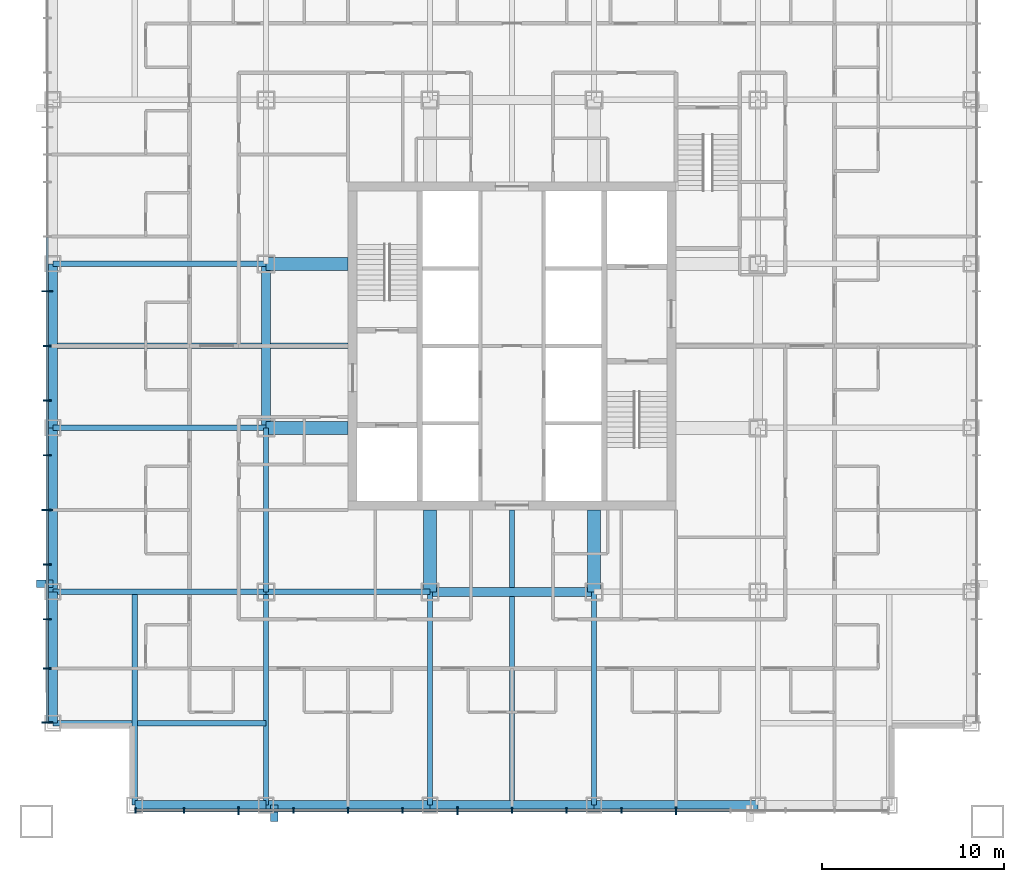
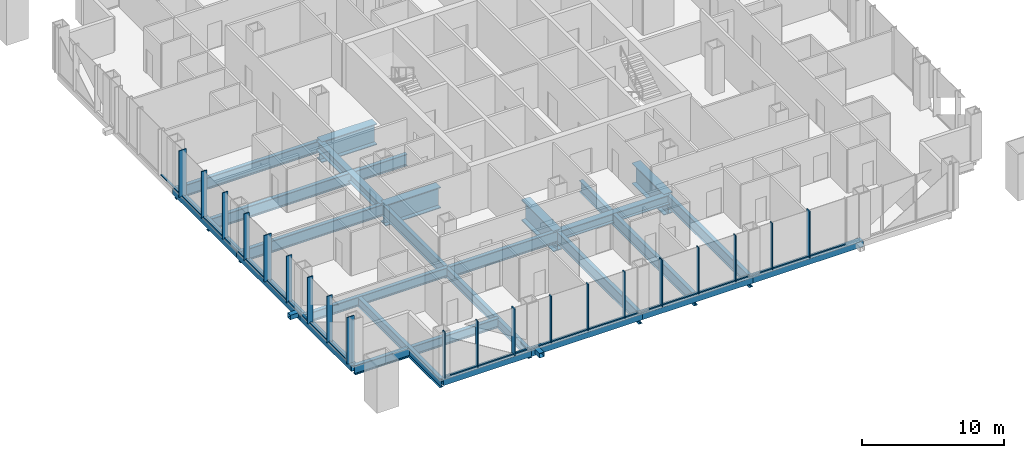
# One storey, part 2 of 13: 42 members, 25 beams, 2 elements without a shape of their own.
"""IFC4 building model written with IfcOpenShell, lengths in metres."""

from ifc_helpers import new_model, si_unit, direction, frame, origin, origin_2d, place, context, subcontext, project, spatial, rectangle, hollow_rectangle, i_section, extrude, material, layer, layer_set, material_profile, profile_set, type_object, element, aggregate, save


model = new_model("IFC4")

# Units and contexts
model_context = context("Model", 3, precision=1e-05, world=origin(), true_north=direction((0.0, 1.0)))
body_context = subcontext(model_context, "Body", "Model", "MODEL_VIEW")
ifc_project = project(units=[si_unit("LENGTHUNIT", "METRE"), si_unit("AREAUNIT", "SQUARE_METRE"), si_unit("VOLUMEUNIT", "CUBIC_METRE"), si_unit("PLANEANGLEUNIT", "RADIAN"), si_unit("MASSUNIT", "GRAM", prefix="KILO")], contexts=[model_context])

# Site, building, storey
site_placement = place(None, origin())
site = spatial("IfcSite", under=ifc_project, at=site_placement, CompositionType="ELEMENT")
building_placement = place(site_placement, origin())
building = spatial("IfcBuilding", under=site, at=building_placement, Name="Malebo Sky Hospital", CompositionType="ELEMENT")
storey_placement = place(building_placement, frame((0.0, 0.0, 87.0)))
storey = spatial("IfcBuildingStorey", under=building, at=storey_placement, Name="L20", CompositionType="ELEMENT", Elevation=87.0)

# Curtain wall, members
ifc_material_1 = material(Name="Anodised aluminium, natural silver", Category="aluminium")
ifc_layer_1 = layer(ifc_material_1, 0.25)
ifc_layer_set_1 = layer_set([ifc_layer_1], Name="WARD CURTAIN WALL EAST AND WEST")
curtain_wall_type_1 = type_object("IfcCurtainWallType", Name="WARD CURTAIN WALL EAST AND WEST", PredefinedType="NOTDEFINED", material=ifc_layer_set_1)
curtain_wall_1_placement = place(storey_placement, origin())
curtain_wall_1 = element("IfcCurtainWall", 1, at=curtain_wall_1_placement, inside=storey, type_object=curtain_wall_type_1, Name="EW curtain wall W", PredefinedType="NOTDEFINED")
ifc_material_profile_1 = material_profile(ifc_material_1, rectangle(XDim=0.14990234375, YDim=0.10009765625, at=origin_2d()), Name="ALUMINIUM TRANSOM 150x100")
ifc_profile_set_1 = profile_set([ifc_material_profile_1], Name="Anodised aluminium, natural silver")
member_type_1 = type_object("IfcMemberType", Name="ALUMINIUM TRANSOM 150x100", PredefinedType="USERDEFINED", material=ifc_profile_set_1)
member_1_placement = place(storey_placement, frame((34.5, 41.375, 0.050048828125), z_axis=(0.0, 1.0, 0.0), x_axis=(-1.0, 0.0, 0.0)))
member_1 = element("IfcMember", 2, at=member_1_placement, type_object=member_type_1, Name="Transom 1", ObjectType="TRANSOM", PredefinedType="USERDEFINED", context=body_context, shape_type="SweptSolid", body=[
    extrude(rectangle(XDim=0.14990234375, YDim=0.10009765625, at=origin_2d()), origin(), (0.0, 0.0, 1.0), 2.887451171875),
])
member_2_placement = place(storey_placement, frame((34.5, 44.33740234375, 0.050048828125), z_axis=(0.0, 1.0, 0.0), x_axis=(-1.0, 0.0, 0.0)))
member_2 = element("IfcMember", 3, at=member_2_placement, type_object=member_type_1, Name="Transom 2", ObjectType="TRANSOM", PredefinedType="USERDEFINED", context=body_context, shape_type="SweptSolid", body=[
    extrude(rectangle(XDim=0.14990234375, YDim=0.10009765625, at=origin_2d()), origin(), (0.0, 0.0, 1.0), 2.625),
])
member_3_placement = place(storey_placement, frame((34.5, 47.03759765625, 0.050048828125), z_axis=(0.0, 1.0, 0.0), x_axis=(-1.0, 0.0, 0.0)))
member_3 = element("IfcMember", 4, at=member_3_placement, type_object=member_type_1, Name="Transom 3", ObjectType="TRANSOM", PredefinedType="USERDEFINED", context=body_context, shape_type="SweptSolid", body=[
    extrude(rectangle(XDim=0.14990234375, YDim=0.10009765625, at=origin_2d()), origin(), (0.0, 0.0, 1.0), 2.9248046875),
])
member_4_placement = place(storey_placement, frame((34.5, 50.03759765625, 0.050048828125), z_axis=(0.0, 1.0, 0.0), x_axis=(-1.0, 0.0, 0.0)))
member_4 = element("IfcMember", 5, at=member_4_placement, type_object=member_type_1, Name="Transom 4", ObjectType="TRANSOM", PredefinedType="USERDEFINED", context=body_context, shape_type="SweptSolid", body=[
    extrude(rectangle(XDim=0.14990234375, YDim=0.10009765625, at=origin_2d()), origin(), (0.0, 0.0, 1.0), 2.9248046875),
])
member_5_placement = place(storey_placement, frame((34.5, 53.03759765625, 0.050048828125), z_axis=(0.0, 1.0, 0.0), x_axis=(-1.0, 0.0, 0.0)))
member_5 = element("IfcMember", 6, at=member_5_placement, type_object=member_type_1, Name="Transom 5", ObjectType="TRANSOM", PredefinedType="USERDEFINED", context=body_context, shape_type="SweptSolid", body=[
    extrude(rectangle(XDim=0.14990234375, YDim=0.10009765625, at=origin_2d()), origin(), (0.0, 0.0, 1.0), 2.9248046875),
])
member_6_placement = place(storey_placement, frame((34.5, 56.03759765625, 0.050048828125), z_axis=(0.0, 1.0, 0.0), x_axis=(-1.0, 0.0, 0.0)))
member_6 = element("IfcMember", 7, at=member_6_placement, type_object=member_type_1, Name="Transom 6", ObjectType="TRANSOM", PredefinedType="USERDEFINED", context=body_context, shape_type="SweptSolid", body=[
    extrude(rectangle(XDim=0.14990234375, YDim=0.10009765625, at=origin_2d()), origin(), (0.0, 0.0, 1.0), 2.9248046875),
])
member_7_placement = place(storey_placement, frame((34.5, 59.03759765625, 0.050048828125), z_axis=(0.0, 1.0, 0.0), x_axis=(-1.0, 0.0, 0.0)))
member_7 = element("IfcMember", 8, at=member_7_placement, type_object=member_type_1, Name="Transom 7", ObjectType="TRANSOM", PredefinedType="USERDEFINED", context=body_context, shape_type="SweptSolid", body=[
    extrude(rectangle(XDim=0.14990234375, YDim=0.10009765625, at=origin_2d()), origin(), (0.0, 0.0, 1.0), 2.9248046875),
])
member_8_placement = place(storey_placement, frame((34.5, 62.03759765625, 0.050048828125), z_axis=(0.0, 1.0, 0.0), x_axis=(-1.0, 0.0, 0.0)))
member_8 = element("IfcMember", 9, at=member_8_placement, type_object=member_type_1, Name="Transom 8", ObjectType="TRANSOM", PredefinedType="USERDEFINED", context=body_context, shape_type="SweptSolid", body=[
    extrude(rectangle(XDim=0.14990234375, YDim=0.10009765625, at=origin_2d()), origin(), (0.0, 0.0, 1.0), 2.9248046875),
])
member_9_placement = place(storey_placement, frame((34.5, 65.03759765625, 0.050048828125), z_axis=(0.0, 1.0, 0.0), x_axis=(-1.0, 0.0, 0.0)))
member_9 = element("IfcMember", 10, at=member_9_placement, type_object=member_type_1, Name="Transom 9", ObjectType="TRANSOM", PredefinedType="USERDEFINED", context=body_context, shape_type="SweptSolid", body=[
    extrude(rectangle(XDim=0.14990234375, YDim=0.10009765625, at=origin_2d()), origin(), (0.0, 0.0, 1.0), 2.9248046875),
])

ifc_layer_2 = layer(ifc_material_1, 0.25)
ifc_layer_set_2 = layer_set([ifc_layer_2], Name="WARD CURTAIN WALL NORTH AND SOUTH")
curtain_wall_type_2 = type_object("IfcCurtainWallType", Name="WARD CURTAIN WALL NORTH AND SOUTH", PredefinedType="NOTDEFINED", material=ifc_layer_set_2)
curtain_wall_2_placement = place(storey_placement, origin())
curtain_wall_2 = element("IfcCurtainWall", 11, at=curtain_wall_2_placement, inside=storey, type_object=curtain_wall_type_2, Name="NS curtain wall S", PredefinedType="NOTDEFINED")
member_10_placement = place(storey_placement, frame((71.96240234375, 36.5, 0.050048828125), z_axis=(-1.0, 0.0, 0.0), x_axis=(0.0, -1.0, 0.0)))
member_10 = element("IfcMember", 12, at=member_10_placement, type_object=member_type_1, Name="Transom 4", ObjectType="TRANSOM", PredefinedType="USERDEFINED", context=body_context, shape_type="SweptSolid", body=[
    extrude(rectangle(XDim=0.14990234375, YDim=0.10009765625, at=origin_2d()), origin(), (0.0, 0.0, 1.0), 2.9248046875),
])
member_11_placement = place(storey_placement, frame((68.96240234375, 36.5, 0.050048828125), z_axis=(-1.0, 0.0, 0.0), x_axis=(0.0, -1.0, 0.0)))
member_11 = element("IfcMember", 13, at=member_11_placement, type_object=member_type_1, Name="Transom 5", ObjectType="TRANSOM", PredefinedType="USERDEFINED", context=body_context, shape_type="SweptSolid", body=[
    extrude(rectangle(XDim=0.14990234375, YDim=0.10009765625, at=origin_2d()), origin(), (0.0, 0.0, 1.0), 2.9248046875),
])
member_12_placement = place(storey_placement, frame((65.96240234375, 36.5, 0.050048828125), z_axis=(-1.0, 0.0, 0.0), x_axis=(0.0, -1.0, 0.0)))
member_12 = element("IfcMember", 14, at=member_12_placement, type_object=member_type_1, Name="Transom 6", ObjectType="TRANSOM", PredefinedType="USERDEFINED", context=body_context, shape_type="SweptSolid", body=[
    extrude(rectangle(XDim=0.14990234375, YDim=0.10009765625, at=origin_2d()), origin(), (0.0, 0.0, 1.0), 2.9248046875),
])
member_13_placement = place(storey_placement, frame((62.96240234375, 36.5, 0.050048828125), z_axis=(-1.0, 0.0, 0.0), x_axis=(0.0, -1.0, 0.0)))
member_13 = element("IfcMember", 15, at=member_13_placement, type_object=member_type_1, Name="Transom 7", ObjectType="TRANSOM", PredefinedType="USERDEFINED", context=body_context, shape_type="SweptSolid", body=[
    extrude(rectangle(XDim=0.14990234375, YDim=0.10009765625, at=origin_2d()), origin(), (0.0, 0.0, 1.0), 2.9248046875),
])
member_14_placement = place(storey_placement, frame((59.96240234375, 36.5, 0.050048828125), z_axis=(-1.0, 0.0, 0.0), x_axis=(0.0, -1.0, 0.0)))
member_14 = element("IfcMember", 16, at=member_14_placement, type_object=member_type_1, Name="Transom 8", ObjectType="TRANSOM", PredefinedType="USERDEFINED", context=body_context, shape_type="SweptSolid", body=[
    extrude(rectangle(XDim=0.14990234375, YDim=0.10009765625, at=origin_2d()), origin(), (0.0, 0.0, 1.0), 2.9248046875),
])
member_15_placement = place(storey_placement, frame((56.96240234375, 36.5, 0.050048828125), z_axis=(-1.0, 0.0, 0.0), x_axis=(0.0, -1.0, 0.0)))
member_15 = element("IfcMember", 17, at=member_15_placement, type_object=member_type_1, Name="Transom 9", ObjectType="TRANSOM", PredefinedType="USERDEFINED", context=body_context, shape_type="SweptSolid", body=[
    extrude(rectangle(XDim=0.14990234375, YDim=0.10009765625, at=origin_2d()), origin(), (0.0, 0.0, 1.0), 2.9248046875),
])
member_16_placement = place(storey_placement, frame((53.96240234375, 36.5, 0.050048828125), z_axis=(-1.0, 0.0, 0.0), x_axis=(0.0, -1.0, 0.0)))
member_16 = element("IfcMember", 18, at=member_16_placement, type_object=member_type_1, Name="Transom 10", ObjectType="TRANSOM", PredefinedType="USERDEFINED", context=body_context, shape_type="SweptSolid", body=[
    extrude(rectangle(XDim=0.14990234375, YDim=0.10009765625, at=origin_2d()), origin(), (0.0, 0.0, 1.0), 2.9248046875),
])
member_17_placement = place(storey_placement, frame((50.96240234375, 36.5, 0.050048828125), z_axis=(-1.0, 0.0, 0.0), x_axis=(0.0, -1.0, 0.0)))
member_17 = element("IfcMember", 19, at=member_17_placement, type_object=member_type_1, Name="Transom 11", ObjectType="TRANSOM", PredefinedType="USERDEFINED", context=body_context, shape_type="SweptSolid", body=[
    extrude(rectangle(XDim=0.14990234375, YDim=0.10009765625, at=origin_2d()), origin(), (0.0, 0.0, 1.0), 2.9248046875),
])
member_18_placement = place(storey_placement, frame((47.96240234375, 36.5, 0.050048828125), z_axis=(-1.0, 0.0, 0.0), x_axis=(0.0, -1.0, 0.0)))
member_18 = element("IfcMember", 20, at=member_18_placement, type_object=member_type_1, Name="Transom 12", ObjectType="TRANSOM", PredefinedType="USERDEFINED", context=body_context, shape_type="SweptSolid", body=[
    extrude(rectangle(XDim=0.14990234375, YDim=0.10009765625, at=origin_2d()), origin(), (0.0, 0.0, 1.0), 2.9248046875),
])
member_19_placement = place(storey_placement, frame((44.96240234375, 36.5, 0.050048828125), z_axis=(-1.0, 0.0, 0.0), x_axis=(0.0, -1.0, 0.0)))
member_19 = element("IfcMember", 21, at=member_19_placement, type_object=member_type_1, Name="Transom 13", ObjectType="TRANSOM", PredefinedType="USERDEFINED", context=body_context, shape_type="SweptSolid", body=[
    extrude(rectangle(XDim=0.14990234375, YDim=0.10009765625, at=origin_2d()), origin(), (0.0, 0.0, 1.0), 2.9248046875),
])
member_20_placement = place(storey_placement, frame((41.96240234375, 36.5, 0.050048828125), z_axis=(-1.0, 0.0, 0.0), x_axis=(0.0, -1.0, 0.0)))
member_20 = element("IfcMember", 22, at=member_20_placement, type_object=member_type_1, Name="Transom 14", ObjectType="TRANSOM", PredefinedType="USERDEFINED", context=body_context, shape_type="SweptSolid", body=[
    extrude(rectangle(XDim=0.14990234375, YDim=0.10009765625, at=origin_2d()), origin(), (0.0, 0.0, 1.0), 2.58740234375),
])

# Members
ifc_material_2 = material(Name="Steel S355", Category="steel")
ifc_material_profile_2 = material_profile(ifc_material_2, hollow_rectangle(XDim=0.39990234375, YDim=0.39990234375, WallThickness=0.02001953125, at=origin_2d()), Name="SHS 400x20")
ifc_profile_set_2 = profile_set([ifc_material_profile_2], Name="Steel S355")
member_type_2 = type_object("IfcMemberType", Name="BRACE STRUT SHS 400x20", PredefinedType="STRUT", material=ifc_profile_set_2)
for number, where, z_axis, x_axis, name in (
    (23, (46.949951171875, 35.89990234375, -0.39990234375), (0.0, 1.0, 0.0), (-1.0, 0.0, 0.0), "Brace strut AS2 L20"),
    (24, (33.89990234375, 48.949951171875, -0.39990234375), (1.0, 0.0, 0.0), (0.0, 1.0, 0.0), "Brace strut AW1 L20"),
):
    element("IfcMember", number, at=place(storey_placement, frame(where, z_axis=z_axis, x_axis=x_axis)), inside=storey, type_object=member_type_2, Name=name, PredefinedType="STRUT", context=body_context, shape_type="SweptSolid", body=[
        extrude(hollow_rectangle(XDim=0.39990234375, YDim=0.39990234375, WallThickness=0.02001953125, at=origin_2d()), origin(), (0.0, 0.0, 1.0), 0.900146484375),
    ])

# Member
ifc_material_profile_3 = material_profile(ifc_material_1, rectangle(XDim=0.074951171875, YDim=0.300048828125, at=origin_2d()), Name="CW1 ALUMINIUM FIN MULLION 75x300")
ifc_profile_set_3 = profile_set([ifc_material_profile_3], Name="Anodised aluminium, natural silver")
member_type_3 = type_object("IfcMemberType", Name="CW1 ALUMINIUM FIN MULLION 75x300", PredefinedType="MULLION", material=ifc_profile_set_3)
member_21_placement = place(storey_placement, frame((66.0, 36.5, 0.0), z_axis=(0.0, 0.0, 1.0), x_axis=(-1.0, 0.0, 0.0)))
member_21 = element("IfcMember", 25, at=member_21_placement, type_object=member_type_3, Name="Fin mullion 6", PredefinedType="MULLION", context=body_context, shape_type="SweptSolid", body=[
    extrude(rectangle(XDim=0.074951171875, YDim=0.300048828125, at=origin_2d()), origin(), (0.0, 0.0, 1.0), 4.0),
])

member_22_placement = place(storey_placement, frame((63.0, 36.5, 0.0), z_axis=(0.0, 0.0, 1.0), x_axis=(-1.0, 0.0, 0.0)))
member_22 = element("IfcMember", 26, at=member_22_placement, type_object=member_type_3, Name="Fin mullion 7", PredefinedType="MULLION", context=body_context, shape_type="SweptSolid", body=[
    extrude(rectangle(XDim=0.074951171875, YDim=0.300048828125, at=origin_2d()), origin(), (0.0, 0.0, 1.0), 4.0),
])

member_23_placement = place(storey_placement, frame((60.0, 36.5, 0.0), z_axis=(0.0, 0.0, 1.0), x_axis=(-1.0, 0.0, 0.0)))
member_23 = element("IfcMember", 27, at=member_23_placement, type_object=member_type_3, Name="Fin mullion 8", PredefinedType="MULLION", context=body_context, shape_type="SweptSolid", body=[
    extrude(rectangle(XDim=0.074951171875, YDim=0.300048828125, at=origin_2d()), origin(), (0.0, 0.0, 1.0), 4.0),
])

member_24_placement = place(storey_placement, frame((54.0, 36.5, 0.0), z_axis=(0.0, 0.0, 1.0), x_axis=(-1.0, 0.0, 0.0)))
member_24 = element("IfcMember", 28, at=member_24_placement, type_object=member_type_3, Name="Fin mullion 10", PredefinedType="MULLION", context=body_context, shape_type="SweptSolid", body=[
    extrude(rectangle(XDim=0.074951171875, YDim=0.300048828125, at=origin_2d()), origin(), (0.0, 0.0, 1.0), 4.0),
])

member_25_placement = place(storey_placement, frame((51.0, 36.5, 0.0), z_axis=(0.0, 0.0, 1.0), x_axis=(-1.0, 0.0, 0.0)))
member_25 = element("IfcMember", 29, at=member_25_placement, type_object=member_type_3, Name="Fin mullion 11", PredefinedType="MULLION", context=body_context, shape_type="SweptSolid", body=[
    extrude(rectangle(XDim=0.074951171875, YDim=0.300048828125, at=origin_2d()), origin(), (0.0, 0.0, 1.0), 4.0),
])

member_26_placement = place(storey_placement, frame((48.0, 36.5, 0.0), z_axis=(0.0, 0.0, 1.0), x_axis=(-1.0, 0.0, 0.0)))
member_26 = element("IfcMember", 30, at=member_26_placement, type_object=member_type_3, Name="Fin mullion 12", PredefinedType="MULLION", context=body_context, shape_type="SweptSolid", body=[
    extrude(rectangle(XDim=0.074951171875, YDim=0.300048828125, at=origin_2d()), origin(), (0.0, 0.0, 1.0), 4.0),
])

member_27_placement = place(storey_placement, frame((42.0, 36.5, 0.0), z_axis=(0.0, 0.0, 1.0), x_axis=(-1.0, 0.0, 0.0)))
member_27 = element("IfcMember", 31, at=member_27_placement, type_object=member_type_3, Name="Fin mullion 14", PredefinedType="MULLION", context=body_context, shape_type="SweptSolid", body=[
    extrude(rectangle(XDim=0.074951171875, YDim=0.300048828125, at=origin_2d()), origin(), (0.0, 0.0, 1.0), 4.0),
])

member_28_placement = place(storey_placement, frame((39.33740234375, 36.5, 0.0), z_axis=(0.0, 0.0, 1.0), x_axis=(-1.0, 0.0, 0.0)))
member_28 = element("IfcMember", 32, at=member_28_placement, type_object=member_type_3, Name="Fin mullion 15", PredefinedType="MULLION", context=body_context, shape_type="SweptSolid", body=[
    extrude(rectangle(XDim=0.074951171875, YDim=0.300048828125, at=origin_2d()), origin(), (0.0, 0.0, 1.0), 4.0),
])

ifc_material_profile_4 = material_profile(ifc_material_1, rectangle(XDim=0.074951171875, YDim=0.449951171875, at=origin_2d()), Name="CW1 ALUMINIUM FIN MULLION 75x450")
ifc_profile_set_4 = profile_set([ifc_material_profile_4], Name="Anodised aluminium, natural silver")
member_type_4 = type_object("IfcMemberType", Name="CW1 ALUMINIUM FIN MULLION 75x450", PredefinedType="MULLION", material=ifc_profile_set_4)
member_29_placement = place(storey_placement, frame((69.0, 36.5, 0.0), z_axis=(0.0, 0.0, 1.0), x_axis=(-1.0, 0.0, 0.0)))
member_29 = element("IfcMember", 33, at=member_29_placement, type_object=member_type_4, Name="Fin mullion 5", PredefinedType="MULLION", context=body_context, shape_type="SweptSolid", body=[
    extrude(rectangle(XDim=0.074951171875, YDim=0.449951171875, at=origin_2d()), origin(), (0.0, 0.0, 1.0), 4.0),
])

member_30_placement = place(storey_placement, frame((57.0, 36.5, 0.0), z_axis=(0.0, 0.0, 1.0), x_axis=(-1.0, 0.0, 0.0)))
member_30 = element("IfcMember", 34, at=member_30_placement, type_object=member_type_4, Name="Fin mullion 9", PredefinedType="MULLION", context=body_context, shape_type="SweptSolid", body=[
    extrude(rectangle(XDim=0.074951171875, YDim=0.449951171875, at=origin_2d()), origin(), (0.0, 0.0, 1.0), 4.0),
])

member_31_placement = place(storey_placement, frame((45.0, 36.5, 0.0), z_axis=(0.0, 0.0, 1.0), x_axis=(-1.0, 0.0, 0.0)))
member_31 = element("IfcMember", 35, at=member_31_placement, type_object=member_type_4, Name="Fin mullion 13", PredefinedType="MULLION", context=body_context, shape_type="SweptSolid", body=[
    extrude(rectangle(XDim=0.074951171875, YDim=0.449951171875, at=origin_2d()), origin(), (0.0, 0.0, 1.0), 4.0),
])

aggregate(curtain_wall_2, [member_29, member_21, member_22, member_23, member_30, member_24, member_25, member_26, member_31, member_27, member_28, member_10, member_11, member_12, member_13, member_14, member_15, member_16, member_17, member_18, member_19, member_20])

ifc_material_profile_5 = material_profile(ifc_material_1, rectangle(XDim=0.074951171875, YDim=0.449951171875, at=origin_2d()), Name="CW2 ALUMINIUM FIN MULLION 75x450")
ifc_profile_set_5 = profile_set([ifc_material_profile_5], Name="Anodised aluminium, natural silver")
member_type_5 = type_object("IfcMemberType", Name="CW2 ALUMINIUM FIN MULLION 75x450", PredefinedType="MULLION", material=ifc_profile_set_5)
member_32_placement = place(storey_placement, frame((34.5, 44.300048828125, 0.0), z_axis=(0.0, 0.0, 1.0), x_axis=(0.0, 1.0, 0.0)))
member_32 = element("IfcMember", 36, at=member_32_placement, type_object=member_type_5, Name="Fin mullion 2", PredefinedType="MULLION", context=body_context, shape_type="SweptSolid", body=[
    extrude(rectangle(XDim=0.074951171875, YDim=0.449951171875, at=origin_2d()), origin(), (0.0, 0.0, 1.0), 4.0),
])

member_33_placement = place(storey_placement, frame((34.5, 47.0, 0.0), z_axis=(0.0, 0.0, 1.0), x_axis=(0.0, 1.0, 0.0)))
member_33 = element("IfcMember", 37, at=member_33_placement, type_object=member_type_5, Name="Fin mullion 3", PredefinedType="MULLION", context=body_context, shape_type="SweptSolid", body=[
    extrude(rectangle(XDim=0.074951171875, YDim=0.449951171875, at=origin_2d()), origin(), (0.0, 0.0, 1.0), 4.0),
])

member_34_placement = place(storey_placement, frame((34.5, 50.0, 0.0), z_axis=(0.0, 0.0, 1.0), x_axis=(0.0, 1.0, 0.0)))
member_34 = element("IfcMember", 38, at=member_34_placement, type_object=member_type_5, Name="Fin mullion 4", PredefinedType="MULLION", context=body_context, shape_type="SweptSolid", body=[
    extrude(rectangle(XDim=0.074951171875, YDim=0.449951171875, at=origin_2d()), origin(), (0.0, 0.0, 1.0), 4.0),
])

member_35_placement = place(storey_placement, frame((34.5, 56.0, 0.0), z_axis=(0.0, 0.0, 1.0), x_axis=(0.0, 1.0, 0.0)))
member_35 = element("IfcMember", 39, at=member_35_placement, type_object=member_type_5, Name="Fin mullion 6", PredefinedType="MULLION", context=body_context, shape_type="SweptSolid", body=[
    extrude(rectangle(XDim=0.074951171875, YDim=0.449951171875, at=origin_2d()), origin(), (0.0, 0.0, 1.0), 4.0),
])

member_36_placement = place(storey_placement, frame((34.5, 59.0, 0.0), z_axis=(0.0, 0.0, 1.0), x_axis=(0.0, 1.0, 0.0)))
member_36 = element("IfcMember", 40, at=member_36_placement, type_object=member_type_5, Name="Fin mullion 7", PredefinedType="MULLION", context=body_context, shape_type="SweptSolid", body=[
    extrude(rectangle(XDim=0.074951171875, YDim=0.449951171875, at=origin_2d()), origin(), (0.0, 0.0, 1.0), 4.0),
])

member_37_placement = place(storey_placement, frame((34.5, 62.0, 0.0), z_axis=(0.0, 0.0, 1.0), x_axis=(0.0, 1.0, 0.0)))
member_37 = element("IfcMember", 41, at=member_37_placement, type_object=member_type_5, Name="Fin mullion 8", PredefinedType="MULLION", context=body_context, shape_type="SweptSolid", body=[
    extrude(rectangle(XDim=0.074951171875, YDim=0.449951171875, at=origin_2d()), origin(), (0.0, 0.0, 1.0), 4.0),
])

ifc_material_profile_6 = material_profile(ifc_material_1, rectangle(XDim=0.074951171875, YDim=0.60009765625, at=origin_2d()), Name="CW2 ALUMINIUM FIN MULLION 75x600")
ifc_profile_set_6 = profile_set([ifc_material_profile_6], Name="Anodised aluminium, natural silver")
member_type_6 = type_object("IfcMemberType", Name="CW2 ALUMINIUM FIN MULLION 75x600", PredefinedType="MULLION", material=ifc_profile_set_6)
member_38_placement = place(storey_placement, frame((34.5, 41.33740234375, 0.0), z_axis=(0.0, 0.0, 1.0), x_axis=(0.0, 1.0, 0.0)))
member_38 = element("IfcMember", 42, at=member_38_placement, type_object=member_type_6, Name="Fin mullion 1", PredefinedType="MULLION", context=body_context, shape_type="SweptSolid", body=[
    extrude(rectangle(XDim=0.074951171875, YDim=0.60009765625, at=origin_2d()), origin(), (0.0, 0.0, 1.0), 4.0),
])

member_39_placement = place(storey_placement, frame((34.5, 53.0, 0.0), z_axis=(0.0, 0.0, 1.0), x_axis=(0.0, 1.0, 0.0)))
member_39 = element("IfcMember", 43, at=member_39_placement, type_object=member_type_6, Name="Fin mullion 5", PredefinedType="MULLION", context=body_context, shape_type="SweptSolid", body=[
    extrude(rectangle(XDim=0.074951171875, YDim=0.60009765625, at=origin_2d()), origin(), (0.0, 0.0, 1.0), 4.0),
])

member_40_placement = place(storey_placement, frame((34.5, 65.0, 0.0), z_axis=(0.0, 0.0, 1.0), x_axis=(0.0, 1.0, 0.0)))
member_40 = element("IfcMember", 44, at=member_40_placement, type_object=member_type_6, Name="Fin mullion 9", PredefinedType="MULLION", context=body_context, shape_type="SweptSolid", body=[
    extrude(rectangle(XDim=0.074951171875, YDim=0.60009765625, at=origin_2d()), origin(), (0.0, 0.0, 1.0), 4.0),
])

aggregate(curtain_wall_1, [member_38, member_32, member_33, member_34, member_39, member_35, member_36, member_37, member_40, member_1, member_2, member_3, member_4, member_5, member_6, member_7, member_8, member_9])

# Beams
ifc_material_3 = material(Name="Steel S460", Category="steel")
ifc_material_profile_7 = material_profile(ifc_material_3, hollow_rectangle(XDim=0.5, YDim=0.5, WallThickness=0.030029296875, at=origin_2d()), Name="BOX 500x500x30")
ifc_profile_set_7 = profile_set([ifc_material_profile_7], Name="Steel S460")
beam_type_1 = type_object("IfcBeamType", Name="EDGE BEAM BOX 500x500x30", PredefinedType="BEAM", material=ifc_profile_set_7)
beam_1_placement = place(storey_placement, frame((34.800048828125, 41.300048828125, -0.5), z_axis=(0.0, 1.0, 0.0), x_axis=(-1.0, 0.0, 0.0)))
element("IfcBeam", 45, at=beam_1_placement, inside=storey, type_object=beam_type_1, Name="Beam 000 L20", PredefinedType="BEAM", context=body_context, shape_type="SweptSolid", body=[
    extrude(hollow_rectangle(XDim=0.5, YDim=0.5, WallThickness=0.030029296875, at=origin_2d()), origin(), (0.0, 0.0, 1.0), 7.199951171875),
])
for number, where, z_axis, x_axis, name in (
    (46, (34.800048828125, 48.5, -0.5), (0.0, 1.0, 0.0), (-1.0, 0.0, 0.0), "Beam 001 L20"),
    (47, (34.800048828125, 57.5, -0.5), (0.0, 1.0, 0.0), (-1.0, 0.0, 0.0), "Beam 002 L20"),
):
    element("IfcBeam", number, at=place(storey_placement, frame(where, z_axis=z_axis, x_axis=x_axis)), inside=storey, type_object=beam_type_1, Name=name, PredefinedType="BEAM", context=body_context, shape_type="SweptSolid", body=[
        extrude(hollow_rectangle(XDim=0.5, YDim=0.5, WallThickness=0.030029296875, at=origin_2d()), origin(), (0.0, 0.0, 1.0), 9.0),
    ])
beam_2_placement = place(storey_placement, frame((39.300048828125, 36.800048828125, -0.5), z_axis=(1.0, 0.0, 0.0), x_axis=(0.0, 1.0, 0.0)))
element("IfcBeam", 48, at=beam_2_placement, inside=storey, type_object=beam_type_1, Name="Beam 034 L20", PredefinedType="BEAM", context=body_context, shape_type="SweptSolid", body=[
    extrude(hollow_rectangle(XDim=0.5, YDim=0.5, WallThickness=0.030029296875, at=origin_2d()), origin(), (0.0, 0.0, 1.0), 7.199951171875),
])
for number, where, z_axis, x_axis, name in (
    (49, (46.5, 36.800048828125, -0.5), (1.0, 0.0, 0.0), (0.0, 1.0, 0.0), "Beam 035 L20"),
    (50, (55.5, 36.800048828125, -0.5), (1.0, 0.0, 0.0), (0.0, 1.0, 0.0), "Beam 036 L20"),
    (51, (64.5, 36.800048828125, -0.5), (1.0, 0.0, 0.0), (0.0, 1.0, 0.0), "Beam 037 L20"),
):
    element("IfcBeam", number, at=place(storey_placement, frame(where, z_axis=z_axis, x_axis=x_axis)), inside=storey, type_object=beam_type_1, Name=name, PredefinedType="BEAM", context=body_context, shape_type="SweptSolid", body=[
        extrude(hollow_rectangle(XDim=0.5, YDim=0.5, WallThickness=0.030029296875, at=origin_2d()), origin(), (0.0, 0.0, 1.0), 9.0),
    ])
ifc_material_profile_8 = material_profile(ifc_material_2, i_section(OverallWidth=0.300048828125, OverallDepth=1.0, WebThickness=0.01904296875, FlangeThickness=0.035888671875, FilletRadius=0.030029296875, at=origin_2d()), Name="HEB 1000")
ifc_profile_set_8 = profile_set([ifc_material_profile_8], Name="Steel S355")
beam_type_2 = type_object("IfcBeamType", Name="FLOOR BEAM HEB 1000", PredefinedType="BEAM", material=ifc_profile_set_8)
beam_3_placement = place(storey_placement, frame((46.5, 48.5, -0.75), z_axis=(0.0, 1.0, 0.0), x_axis=(-1.0, 0.0, 0.0)))
element("IfcBeam", 52, at=beam_3_placement, inside=storey, type_object=beam_type_2, Name="Beam 008 L20", PredefinedType="BEAM", context=body_context, shape_type="SweptSolid", body=[
    extrude(i_section(OverallWidth=0.300048828125, OverallDepth=1.0, WebThickness=0.01904296875, FlangeThickness=0.035888671875, FilletRadius=0.030029296875, at=origin_2d()), origin(), (0.0, 0.0, 1.0), 9.0),
])
beam_4_placement = place(storey_placement, frame((55.5, 36.800048828125, -0.75), z_axis=(0.0, 1.0, 0.0), x_axis=(-1.0, 0.0, 0.0)))
element("IfcBeam", 53, at=beam_4_placement, inside=storey, type_object=beam_type_2, Name="Beam 012 L20", PredefinedType="BEAM", context=body_context, shape_type="SweptSolid", body=[
    extrude(i_section(OverallWidth=0.300048828125, OverallDepth=1.0, WebThickness=0.01904296875, FlangeThickness=0.035888671875, FilletRadius=0.030029296875, at=origin_2d()), origin(), (0.0, 0.0, 1.0), 11.699951171875),
])
beam_5_placement = place(storey_placement, frame((60.0, 36.800048828125, -0.75), z_axis=(0.0, 1.0, 0.0), x_axis=(-1.0, 0.0, 0.0)))
element("IfcBeam", 54, at=beam_5_placement, inside=storey, type_object=beam_type_2, Name="Beam 016 L20", PredefinedType="BEAM", context=body_context, shape_type="SweptSolid", body=[
    extrude(i_section(OverallWidth=0.300048828125, OverallDepth=1.0, WebThickness=0.01904296875, FlangeThickness=0.035888671875, FilletRadius=0.030029296875, at=origin_2d()), origin(), (0.0, 0.0, 1.0), 16.199951171875),
])
beam_6_placement = place(storey_placement, frame((64.5, 36.800048828125, -0.75), z_axis=(0.0, 1.0, 0.0), x_axis=(-1.0, 0.0, 0.0)))
element("IfcBeam", 55, at=beam_6_placement, inside=storey, type_object=beam_type_2, Name="Beam 018 L20", PredefinedType="BEAM", context=body_context, shape_type="SweptSolid", body=[
    extrude(i_section(OverallWidth=0.300048828125, OverallDepth=1.0, WebThickness=0.01904296875, FlangeThickness=0.035888671875, FilletRadius=0.030029296875, at=origin_2d()), origin(), (0.0, 0.0, 1.0), 11.699951171875),
])
beam_7_placement = place(storey_placement, frame((46.5, 48.5, -0.75), z_axis=(1.0, 0.0, 0.0), x_axis=(0.0, 1.0, 0.0)))
element("IfcBeam", 56, at=beam_7_placement, inside=storey, type_object=beam_type_2, Name="Beam 042 L20", PredefinedType="BEAM", context=body_context, shape_type="SweptSolid", body=[
    extrude(i_section(OverallWidth=0.300048828125, OverallDepth=1.0, WebThickness=0.01904296875, FlangeThickness=0.035888671875, FilletRadius=0.030029296875, at=origin_2d()), origin(), (0.0, 0.0, 1.0), 9.0),
])
beam_8_placement = place(storey_placement, frame((34.800048828125, 57.5, -0.75), z_axis=(1.0, 0.0, 0.0), x_axis=(0.0, 1.0, 0.0)))
element("IfcBeam", 57, at=beam_8_placement, inside=storey, type_object=beam_type_2, Name="Beam 046 L20", PredefinedType="BEAM", context=body_context, shape_type="SweptSolid", body=[
    extrude(i_section(OverallWidth=0.300048828125, OverallDepth=1.0, WebThickness=0.01904296875, FlangeThickness=0.035888671875, FilletRadius=0.030029296875, at=origin_2d()), origin(), (0.0, 0.0, 1.0), 11.699951171875),
])
beam_9_placement = place(storey_placement, frame((34.800048828125, 62.0, -0.75), z_axis=(1.0, 0.0, 0.0), x_axis=(0.0, 1.0, 0.0)))
element("IfcBeam", 58, at=beam_9_placement, inside=storey, type_object=beam_type_2, Name="Beam 050 L20", PredefinedType="BEAM", context=body_context, shape_type="SweptSolid", body=[
    extrude(i_section(OverallWidth=0.300048828125, OverallDepth=1.0, WebThickness=0.01904296875, FlangeThickness=0.035888671875, FilletRadius=0.030029296875, at=origin_2d()), origin(), (0.0, 0.0, 1.0), 16.199951171875),
])
beam_10_placement = place(storey_placement, frame((34.800048828125, 66.5, -0.75), z_axis=(1.0, 0.0, 0.0), x_axis=(0.0, 1.0, 0.0)))
element("IfcBeam", 59, at=beam_10_placement, inside=storey, type_object=beam_type_2, Name="Beam 052 L20", PredefinedType="BEAM", context=body_context, shape_type="SweptSolid", body=[
    extrude(i_section(OverallWidth=0.300048828125, OverallDepth=1.0, WebThickness=0.01904296875, FlangeThickness=0.035888671875, FilletRadius=0.030029296875, at=origin_2d()), origin(), (0.0, 0.0, 1.0), 11.699951171875),
])
ifc_material_profile_9 = material_profile(ifc_material_2, i_section(OverallWidth=0.300048828125, OverallDepth=0.800048828125, WebThickness=0.017578125, FlangeThickness=0.032958984375, FilletRadius=0.030029296875, at=origin_2d()), Name="HEB 800")
ifc_profile_set_9 = profile_set([ifc_material_profile_9], Name="Steel S355")
beam_type_3 = type_object("IfcBeamType", Name="FLOOR BEAM HEB 800", PredefinedType="BEAM", material=ifc_profile_set_9)
for number, where, z_axis, x_axis, name in (
    (60, (39.300048828125, 36.800048828125, -0.64990234375), (0.0, 1.0, 0.0), (-1.0, 0.0, 0.0), "Beam 005 L20"),
    (61, (34.800048828125, 41.300048828125, -0.64990234375), (1.0, 0.0, 0.0), (0.0, 1.0, 0.0), "Beam 039 L20"),
):
    element("IfcBeam", number, at=place(storey_placement, frame(where, z_axis=z_axis, x_axis=x_axis)), inside=storey, type_object=beam_type_3, Name=name, PredefinedType="BEAM", context=body_context, shape_type="SweptSolid", body=[
        extrude(i_section(OverallWidth=0.300048828125, OverallDepth=0.800048828125, WebThickness=0.017578125, FlangeThickness=0.032958984375, FilletRadius=0.030029296875, at=origin_2d()), origin(), (0.0, 0.0, 1.0), 11.699951171875),
    ])
ifc_material_profile_10 = material_profile(ifc_material_2, i_section(OverallWidth=0.699951171875, OverallDepth=1.800048828125, WebThickness=0.034912109375, FlangeThickness=0.070068359375, at=origin_2d()), Name="PG 1800x700x35x70")
ifc_profile_set_10 = profile_set([ifc_material_profile_10], Name="Steel S355")
beam_type_4 = type_object("IfcBeamType", Name="FLOOR BEAM PG 1800x700x35x70", PredefinedType="BEAM", material=ifc_profile_set_10)
for number, where, z_axis, x_axis, name in (
    (62, (55.5, 48.5, -1.14990234375), (0.0, 1.0, 0.0), (-1.0, 0.0, 0.0), "Beam 013 L20"),
    (63, (64.5, 48.5, -1.14990234375), (0.0, 1.0, 0.0), (-1.0, 0.0, 0.0), "Beam 019 L20"),
    (64, (46.5, 57.5, -1.14990234375), (1.0, 0.0, 0.0), (0.0, 1.0, 0.0), "Beam 047 L20"),
    (65, (46.5, 66.5, -1.14990234375), (1.0, 0.0, 0.0), (0.0, 1.0, 0.0), "Beam 053 L20"),
):
    element("IfcBeam", number, at=place(storey_placement, frame(where, z_axis=z_axis, x_axis=x_axis)), inside=storey, type_object=beam_type_4, Name=name, PredefinedType="BEAM", context=body_context, shape_type="SweptSolid", body=[
        extrude(i_section(OverallWidth=0.699951171875, OverallDepth=1.800048828125, WebThickness=0.034912109375, FlangeThickness=0.070068359375, at=origin_2d()), origin(), (0.0, 0.0, 1.0), 4.5),
    ])
ifc_material_profile_11 = material_profile(ifc_material_2, i_section(OverallWidth=0.300048828125, OverallDepth=0.800048828125, WebThickness=0.017578125, FlangeThickness=0.032958984375, FilletRadius=0.030029296875, at=origin_2d()), Name="HEB 800")
ifc_profile_set_11 = profile_set([ifc_material_profile_11], Name="Steel S355")
beam_type_5 = type_object("IfcBeamType", Name="FLOOR GIRDER HEB 800", PredefinedType="BEAM", material=ifc_profile_set_11)
for number, where, z_axis, x_axis, name in (
    (66, (46.5, 36.800048828125, -0.64990234375), (0.0, 1.0, 0.0), (-1.0, 0.0, 0.0), "Beam 007 L20"),
    (67, (34.800048828125, 48.5, -0.64990234375), (1.0, 0.0, 0.0), (0.0, 1.0, 0.0), "Beam 041 L20"),
):
    element("IfcBeam", number, at=place(storey_placement, frame(where, z_axis=z_axis, x_axis=x_axis)), inside=storey, type_object=beam_type_5, Name=name, PredefinedType="BEAM", context=body_context, shape_type="SweptSolid", body=[
        extrude(i_section(OverallWidth=0.300048828125, OverallDepth=0.800048828125, WebThickness=0.017578125, FlangeThickness=0.032958984375, FilletRadius=0.030029296875, at=origin_2d()), origin(), (0.0, 0.0, 1.0), 11.699951171875),
    ])
ifc_material_profile_12 = material_profile(ifc_material_2, i_section(OverallWidth=0.5, OverallDepth=0.800048828125, WebThickness=0.030029296875, FlangeThickness=0.050048828125, at=origin_2d()), Name="PG 800x500x30x50")
ifc_profile_set_12 = profile_set([ifc_material_profile_12], Name="Steel S355")
beam_type_6 = type_object("IfcBeamType", Name="RING GIRDER PG 800x500x30x50", PredefinedType="BEAM", material=ifc_profile_set_12)
for number, where, z_axis, x_axis, name in (
    (68, (46.5, 57.5, -0.64990234375), (0.0, 1.0, 0.0), (-1.0, 0.0, 0.0), "Beam 009 L20"),
    (69, (55.5, 48.5, -0.64990234375), (1.0, 0.0, 0.0), (0.0, 1.0, 0.0), "Beam 043 L20"),
):
    element("IfcBeam", number, at=place(storey_placement, frame(where, z_axis=z_axis, x_axis=x_axis)), inside=storey, type_object=beam_type_6, Name=name, PredefinedType="BEAM", context=body_context, shape_type="SweptSolid", body=[
        extrude(i_section(OverallWidth=0.5, OverallDepth=0.800048828125, WebThickness=0.030029296875, FlangeThickness=0.050048828125, at=origin_2d()), origin(), (0.0, 0.0, 1.0), 9.0),
    ])

save(model, "model.ifc")
